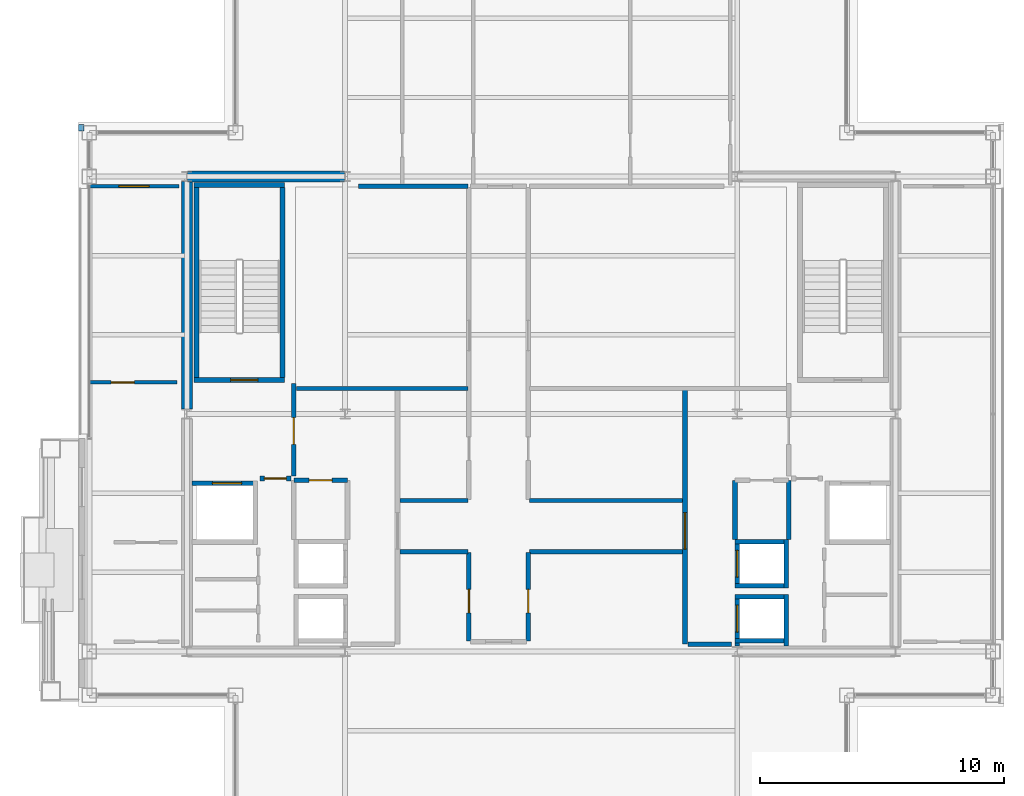
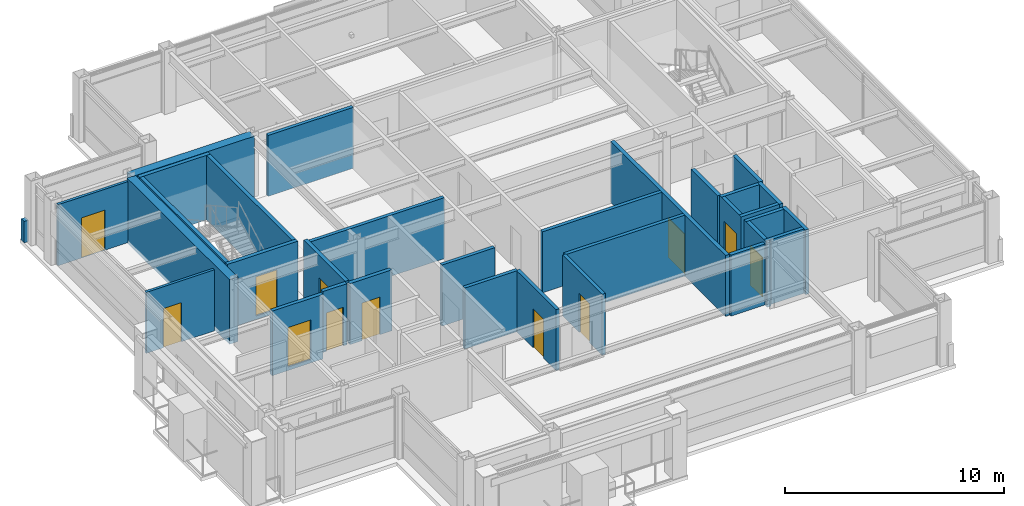
# One storey, part 24 of 28: 33 walls, 12 doors, 12 openings.
"""IFC4 building model written with IfcOpenShell, lengths in metres."""

import ifcopenshell
import ifcopenshell.guid

model = None  # the IFC model being written
_history = None  # IfcOwnerHistory: only IFC2X3 demands one
_inside = {}  # id of a spatial element -> (the spatial element, [elements in it])
_under = {}  # id of a project, library or spatial element -> (it, [spatial elements below it])
_declared = {}  # id of a project -> (the project, [libraries it declares])
_typed = {}  # id of a type object -> (the type object, [elements of that type])
_made_of = {}  # id of a material, layer set ... -> (it, [elements and type objects made of it])


def new_model(schema):
    """Start an empty IFC model of exactly this schema.

    Asked for "IFC4X3", IfcOpenShell would pick the latest addendum, in which some entities
    have other attributes; the version numbers below select the first issue.
    IFC2X3 requires an IfcOwnerHistory on every rooted entity: one is made here for all.
    """
    global model, _history
    if schema == "IFC4X3":
        model = ifcopenshell.file(schema_version=(4, 3, 0, 0))
    else:
        model = ifcopenshell.file(schema=schema)
    _inside.clear()
    _under.clear()
    _declared.clear()
    _typed.clear()
    _made_of.clear()
    _history = None
    if model.schema == "IFC2X3":
        org = make("IfcOrganization", Name="unknown")
        user = make(
            "IfcPersonAndOrganization",
            ThePerson=make("IfcPerson", FamilyName="unknown"),
            TheOrganization=org,
        )
        app = make(
            "IfcApplication",
            ApplicationDeveloper=org,
            Version="unknown",
            ApplicationFullName="unknown",
            ApplicationIdentifier="unknown",
        )
        _history = make(
            "IfcOwnerHistory",
            OwningUser=user,
            OwningApplication=app,
            ChangeAction="ADDED",
            CreationDate=0,
        )
    return model


def make(cls, **values):
    """One entity of the class cls with the attributes given. An attribute that is None is left unset."""
    return model.create_entity(
        cls, **{name: value for name, value in values.items() if value is not None}
    )


def rooted(cls, **values):
    """An entity with a GlobalId (a new one), such as an element, a storey or a relation."""
    return make(cls, GlobalId=ifcopenshell.guid.new(), OwnerHistory=_history, **values)


def si_unit(unit_type, name, prefix=None):
    """IfcSIUnit, for example si_unit("LENGTHUNIT", "METRE", prefix="MILLI")."""
    return make("IfcSIUnit", UnitType=unit_type, Prefix=prefix, Name=name)


def assignment(units):
    """IfcUnitAssignment: the units of a project."""
    return None if units is None else make("IfcUnitAssignment", Units=units)


def point(xyz):
    """IfcCartesianPoint."""
    return None if xyz is None else make("IfcCartesianPoint", Coordinates=xyz)


def direction(xyz):
    """IfcDirection."""
    return None if xyz is None else make("IfcDirection", DirectionRatios=xyz)


def frame(location, z_axis=None, x_axis=None):
    """IfcAxis2Placement3D, a coordinate frame: its origin and axes. An axis left out is left unset."""
    return make(
        "IfcAxis2Placement3D",
        Location=point(location),
        Axis=direction(z_axis),
        RefDirection=direction(x_axis),
    )


def frame_2d(location, x_axis=None):
    """IfcAxis2Placement2D, a coordinate frame in the plane: its origin and x axis."""
    return make(
        "IfcAxis2Placement2D", Location=point(location), RefDirection=direction(x_axis)
    )


def origin():
    """The frame at (0, 0, 0) with its axes left unset."""
    return frame((0.0, 0.0, 0.0))


def place(relative_to, where):
    """IfcLocalPlacement: puts the frame where relative to a parent placement (None: the world)."""
    return make(
        "IfcLocalPlacement", PlacementRelTo=relative_to, RelativePlacement=where
    )


def context(
    kind, dimensions, precision=None, world=None, true_north=None, identifier=None
):
    """IfcGeometricRepresentationContext, for example the 3D "Model" context."""
    return make(
        "IfcGeometricRepresentationContext",
        ContextIdentifier=identifier,
        ContextType=kind,
        CoordinateSpaceDimension=dimensions,
        Precision=precision,
        WorldCoordinateSystem=world,
        TrueNorth=true_north,
    )


def subcontext(parent, identifier, kind, view, scale=None):
    """IfcGeometricRepresentationSubContext, for example "Body" below "Model"."""
    return make(
        "IfcGeometricRepresentationSubContext",
        ContextIdentifier=identifier,
        ContextType=kind,
        ParentContext=parent,
        TargetScale=scale,
        TargetView=view,
    )


def project(units=None, contexts=None):
    """IfcProject with its units and contexts."""
    return rooted(
        "IfcProject",
        Name="project",
        RepresentationContexts=contexts,
        UnitsInContext=assignment(units),
    )


def spatial(cls, under=None, at=None, **own):
    """A site, building, storey or space (cls), placed at a placement, below another one or the project."""
    s = rooted(cls, ObjectPlacement=at, **own)
    if under is not None:
        _under.setdefault(under.id(), (under, []))[1].append(s)
    return s


def profile(cls, at=None, kind="AREA", **sizes):
    """A parametric profile (cls). Its sizes go by their IFC names, for example OverallWidth=200.0."""
    return make(cls, ProfileType=kind, Position=at, **sizes)


def rectangle(**sizes):
    """IfcRectangleProfileDef."""
    return profile("IfcRectangleProfileDef", **sizes)


def extrude(swept, where, along, depth):
    """IfcExtrudedAreaSolid: the profile swept, set in the frame where, extruded along a direction by depth."""
    return make(
        "IfcExtrudedAreaSolid",
        SweptArea=swept,
        Position=where,
        ExtrudedDirection=direction(along),
        Depth=depth,
    )


def shape(context_of_items, identifier, shape_type, items):
    """IfcShapeRepresentation: the items that make up one representation, for example the "Body"."""
    return make(
        "IfcShapeRepresentation",
        ContextOfItems=context_of_items,
        RepresentationIdentifier=identifier,
        RepresentationType=shape_type,
        Items=items,
    )


def material(Name=None, Category=None):
    """IfcMaterial."""
    return make("IfcMaterial", Name=Name, Category=Category)


def layer(
    of_material, thickness, ventilated=None, Name=None, Category=None, Priority=None
):
    """IfcMaterialLayer: one layer of a wall or slab, of a material (None: an air gap)."""
    return make(
        "IfcMaterialLayer",
        Material=of_material,
        LayerThickness=thickness,
        IsVentilated=ventilated,
        Name=Name,
        Category=Category,
        Priority=Priority,
    )


def layer_set(layers, Name=None):
    """IfcMaterialLayerSet."""
    return make("IfcMaterialLayerSet", MaterialLayers=layers, LayerSetName=Name)


def made_of(thing, what):
    """Note that an element or type object is made of a material, layer set ...; save() writes the relation."""
    if what is not None:
        _made_of.setdefault(what.id(), (what, []))[1].append(thing)
    return thing


def type_object(cls, material=None, **own):
    """A type object (cls), such as IfcWallType, which elements share."""
    return made_of(rooted(cls, **own), material)


def element(
    cls,
    number,
    at=None,
    inside=None,
    cuts=None,
    type_object=None,
    material=None,
    context=None,
    identifier="Body",
    shape_type=None,
    held_by="IfcProductDefinitionShape",
    body=None,
    shapes=None,
    **own,
):
    """One element of the class cls, such as IfcWall. Its Tag is "e" and its number.

    at: its placement. inside: the storey or other place that contains it. cuts: it is an
    opening in that element (IfcRelVoidsElement). A single representation is given by context,
    identifier, shape_type and body (its items); several are given by shapes. held_by: the class
    of the entity that holds the representations. save() writes the other relations.
    """
    e = rooted(cls, Tag="e%d" % number, ObjectPlacement=at, **own)
    if body is not None:
        shapes = [shape(context, identifier, shape_type, body)]
    if shapes is not None:
        e.Representation = make(held_by, Representations=shapes)
    if inside is not None:
        _inside.setdefault(inside.id(), (inside, []))[1].append(e)
    if cuts is not None:
        rooted(
            "IfcRelVoidsElement", RelatingBuildingElement=cuts, RelatedOpeningElement=e
        )
    if type_object is not None:
        _typed.setdefault(type_object.id(), (type_object, []))[1].append(e)
    return made_of(e, material)


def fill(opening, filler):
    """IfcRelFillsElement: the door or window that sits in an opening."""
    return rooted(
        "IfcRelFillsElement",
        RelatingOpeningElement=opening,
        RelatedBuildingElement=filler,
    )


def aggregate(whole, parts):
    """IfcRelAggregates: a whole, such as a stair, and the parts it consists of."""
    return rooted("IfcRelAggregates", RelatingObject=whole, RelatedObjects=parts)


def save(model, path):
    """Write the relations noted so far, then the file.

    IfcRelAggregates (storeys below a building ...), IfcRelContainedInSpatialStructure (elements
    in a storey), IfcRelDefinesByType, IfcRelAssociatesMaterial and IfcRelDeclares: one each for
    every whole, place, type object, material and project.
    """
    for whole, parts in _under.values():
        aggregate(whole, parts)
    for where, things in _inside.values():
        rooted(
            "IfcRelContainedInSpatialStructure",
            RelatedElements=things,
            RelatingStructure=where,
        )
    for kind, things in _typed.values():
        rooted("IfcRelDefinesByType", RelatedObjects=things, RelatingType=kind)
    for what, things in _made_of.values():
        rooted("IfcRelAssociatesMaterial", RelatedObjects=things, RelatingMaterial=what)
    for by, libraries in _declared.values():
        rooted("IfcRelDeclares", RelatingContext=by, RelatedDefinitions=libraries)
    model.write(path)


model = new_model("IFC4")

# Units and contexts
model_context = context("Model", 3, precision=1e-05, world=origin(), true_north=direction((0.0, 1.0)))
body_context = subcontext(model_context, "Body", "Model", "MODEL_VIEW")
ifc_project = project(units=[si_unit("LENGTHUNIT", "METRE"), si_unit("AREAUNIT", "SQUARE_METRE"), si_unit("VOLUMEUNIT", "CUBIC_METRE"), si_unit("PLANEANGLEUNIT", "RADIAN"), si_unit("MASSUNIT", "GRAM", prefix="KILO")], contexts=[model_context])

# Site, building, storey
site_placement = place(None, origin())
site = spatial("IfcSite", under=ifc_project, at=site_placement, CompositionType="ELEMENT")
building_placement = place(site_placement, origin())
building = spatial("IfcBuilding", under=site, at=building_placement, Name="Brelmoor Portico Tower", CompositionType="ELEMENT")
storey_placement = place(building_placement, frame((0.0, 0.0, 265.199951171875)))
storey = spatial("IfcBuildingStorey", under=building, at=storey_placement, Name="L70", CompositionType="ELEMENT", Elevation=265.199951171875)

# Walls
ifc_material_1 = material(Name="Concrete C50", Category="concrete")
ifc_layer_1 = layer(ifc_material_1, 0.449951171875)
ifc_layer_set_1 = layer_set([ifc_layer_1], Name="Concrete C50")
wall_type_1 = type_object("IfcWallType", Name="WL-CORE-450", PredefinedType="SHEAR", material=ifc_layer_set_1)
wall_1_placement = place(storey_placement, frame((-14.530029296875, 9.75, -0.199951171875), z_axis=(0.0, 0.0, 1.0), x_axis=(1.0, 0.0, 0.0)))
element("IfcWall", 1, at=wall_1_placement, inside=storey, type_object=wall_type_1, Name="L70 WC North Shear Wall", PredefinedType="SHEAR", context=body_context, shape_type="SweptSolid", body=[
    extrude(rectangle(XDim=6.4599609375, YDim=0.449951171875, at=frame_2d((3.22998046875, 0.0))), origin(), (0.0, 0.0, 1.0), 3.60009765625),
])
wall_2_placement = place(storey_placement, frame((-14.550048828125, 0.199951171875, -0.199951171875), z_axis=(0.0, 0.0, 1.0), x_axis=(0.0, 1.0, 0.0)))
element("IfcWall", 2, at=wall_2_placement, inside=storey, type_object=wall_type_1, Name="L70 WC Outer North Shear Wall", PredefinedType="SHEAR", context=body_context, shape_type="SweptSolid", body=[
    extrude(rectangle(XDim=9.35009765625, YDim=0.449951171875, at=frame_2d((4.675048828125, 0.0))), origin(), (0.0, 0.0, 1.0), 3.60009765625),
])
ifc_material_2 = material(Name="Concrete C40 Parapet Upstand", Category="concrete")
ifc_layer_2 = layer(ifc_material_2, 0.219970703125)
ifc_layer_set_2 = layer_set([ifc_layer_2], Name="Concrete C40 Parapet Upstand")
wall_type_2 = type_object("IfcWallType", Name="WL-PARAPET-220", PredefinedType="PARAPET", material=ifc_layer_set_2)
wall_3_placement = place(storey_placement, frame((-18.889892578125, 11.6201171875, 0.0), z_axis=(0.0, 0.0, 1.0), x_axis=(0.0, 1.0, 0.0)))
element("IfcWall", 3, at=wall_3_placement, inside=storey, type_object=wall_type_2, Name="L70 Chamfer Vertex Parapet Pier NW2", PredefinedType="PARAPET", context=body_context, shape_type="SweptSolid", body=[
    extrude(rectangle(XDim=0.269775390625, YDim=0.219970703125, at=frame_2d((0.134765625, 0.0))), origin(), (0.0, 0.0, 1.0), 1.199951171875),
])

# Wall, opening, door
ifc_material_3 = material(Name="Insulated Stud Suite Partition", Category="gypsum")
ifc_layer_3 = layer(ifc_material_3, 0.139892578125)
ifc_layer_set_3 = layer_set([ifc_layer_3], Name="Insulated Stud Suite Partition")
wall_type_3 = type_object("IfcWallType", Name="WL-PART-140", PredefinedType="PARTITIONING", material=ifc_layer_set_3)
wall_4_placement = place(storey_placement, frame((-18.56005859375, 9.35009765625, 0.0), z_axis=(0.0, 0.0, 1.0), x_axis=(1.0, 0.0, 0.0)))
wall_4 = element("IfcWall", 4, at=wall_4_placement, inside=storey, type_object=wall_type_3, Name="L70 North Wing Suite Wall WL", PredefinedType="PARTITIONING", context=body_context, shape_type="SweptSolid", body=[
    extrude(rectangle(XDim=3.68017578125, YDim=0.139892578125, at=frame_2d((1.840087890625, 0.0))), origin(), (0.0, 0.0, 1.0), 3.400146484375),
])
opening_1_placement = place(wall_4_placement, frame((1.219970703125, 0.0, 0.0)))
opening_1 = element("IfcOpeningElement", 5, at=opening_1_placement, cuts=wall_4, Name="Opening D-SU1", PredefinedType="OPENING", context=body_context, shape_type="SweptSolid", body=[
    extrude(rectangle(XDim=1.239990234375, YDim=2.239990234375, at=frame_2d((0.6201171875, 1.1201171875))), frame((0.0, 0.079833984375, 0.0), z_axis=(0.0, -1.0, 0.0), x_axis=(1.0, 0.0, 0.0)), (0.0, 0.0, 1.0), 0.159912109375),
])
ifc_material_4 = material(Name="Glazed Timber Executive Suite Door", Category="wood")
door_type_1 = type_object("IfcDoorType", Name="DR-SUITE-1200", OperationType="NOTDEFINED", PredefinedType="DOOR", material=ifc_material_4)
door_1_placement = place(opening_1_placement, origin())
door_1 = element("IfcDoor", 6, at=door_1_placement, inside=storey, type_object=door_type_1, Name="D-2886 L70 WL Wing Suite Connecting Door", OperationType="SINGLE_SWING_RIGHT", OverallHeight=2.239990234375, OverallWidth=1.239990234375, PredefinedType="DOOR", context=body_context, shape_type="SweptSolid", body=[
    extrude(rectangle(XDim=1.239990234375, YDim=2.239990234375, at=frame_2d((0.6201171875, 1.1201171875))), frame((0.0, 0.02490234375, 0.0), z_axis=(0.0, -1.0, 0.0), x_axis=(1.0, 0.0, 0.0)), (0.0, 0.0, 1.0), 0.050048828125),
])
fill(opening_1, door_1)

wall_5_placement = place(storey_placement, frame((-18.56005859375, 1.2978515625, 0.0), z_axis=(0.0, 0.0, 1.0), x_axis=(1.0, 0.0, 0.0)))
wall_5 = element("IfcWall", 7, at=wall_5_placement, inside=storey, type_object=wall_type_3, Name="L70 W Wing Partition 2", PredefinedType="PARTITIONING", context=body_context, shape_type="SweptSolid", body=[
    extrude(rectangle(XDim=3.60009765625, YDim=0.139892578125, at=frame_2d((1.800048828125, 0.0))), origin(), (0.0, 0.0, 1.0), 3.400146484375),
])
opening_2_placement = place(wall_5_placement, frame((0.89990234375, 0.0, 0.0)))
opening_2 = element("IfcOpeningElement", 8, at=opening_2_placement, cuts=wall_5, Name="Opening D-IN2", PredefinedType="OPENING", context=body_context, shape_type="SweptSolid", body=[
    extrude(rectangle(XDim=0.9599609375, YDim=2.179931640625, at=frame_2d((0.47998046875, 1.08984375))), frame((0.0, 0.079833984375, 0.0), z_axis=(0.0, -1.0, 0.0), x_axis=(1.0, 0.0, 0.0)), (0.0, 0.0, 1.0), 0.159912109375),
])
ifc_material_5 = material(Name="Lacquered Timber Suite Door", Category="wood")
door_type_2 = type_object("IfcDoorType", Name="DR-INT-950", OperationType="NOTDEFINED", PredefinedType="DOOR", material=ifc_material_5)
door_2_placement = place(opening_2_placement, origin())
door_2 = element("IfcDoor", 9, at=door_2_placement, inside=storey, type_object=door_type_2, Name="D-2895 L70 W Wing Suite Connecting Door 2", OperationType="SINGLE_SWING_RIGHT", OverallHeight=2.179931640625, OverallWidth=0.9599609375, PredefinedType="DOOR", context=body_context, shape_type="SweptSolid", body=[
    extrude(rectangle(XDim=0.9599609375, YDim=2.179931640625, at=frame_2d((0.47998046875, 1.08984375))), frame((0.0, 0.02490234375, 0.0), z_axis=(0.0, -1.0, 0.0), x_axis=(1.0, 0.0, 0.0)), (0.0, 0.0, 1.0), 0.050048828125),
])
fill(opening_2, door_2)

# Walls
ifc_material_6 = material(Name="Acoustic Corridor Fire Partition", Category="gypsum")
ifc_layer_4 = layer(ifc_material_6, 0.179931640625)
ifc_layer_set_4 = layer_set([ifc_layer_4], Name="Acoustic Corridor Fire Partition")
wall_type_4 = type_object("IfcWallType", Name="WL-PART-180", PredefinedType="PARTITIONING", material=ifc_layer_set_4)
wall_6_placement = place(storey_placement, frame((-10.050048828125, 1.050048828125, 0.0), z_axis=(0.0, 0.0, 1.0), x_axis=(1.0, 0.0, 0.0)))
element("IfcWall", 10, at=wall_6_placement, inside=storey, type_object=wall_type_4, Name="L70 West Reclaimed Suite South Wall", PredefinedType="PARTITIONING", context=body_context, shape_type="SweptSolid", body=[
    extrude(rectangle(XDim=7.0400390625, YDim=0.179931640625, at=frame_2d((3.52001953125, 0.0))), origin(), (0.0, 0.0, 1.0), 3.400146484375),
])
wall_7_placement = place(storey_placement, frame((-7.5, 9.35009765625, 0.0), z_axis=(0.0, 0.0, 1.0), x_axis=(1.0, 0.0, 0.0)))
element("IfcWall", 11, at=wall_7_placement, inside=storey, type_object=wall_type_4, Name="L70 West Reclaimed Suite North Wall", PredefinedType="PARTITIONING", context=body_context, shape_type="SweptSolid", body=[
    extrude(rectangle(XDim=4.489990234375, YDim=0.179931640625, at=frame_2d((2.2451171875, 0.0))), origin(), (0.0, 0.0, 1.0), 3.400146484375),
])
wall_8_placement = place(storey_placement, frame((-5.800048828125, -3.550048828125, 0.0), z_axis=(0.0, 0.0, 1.0), x_axis=(1.0, 0.0, 0.0)))
element("IfcWall", 12, at=wall_8_placement, inside=storey, type_object=wall_type_4, Name="L70 West Pantry South Wall", PredefinedType="PARTITIONING", context=body_context, shape_type="SweptSolid", body=[
    extrude(rectangle(XDim=2.7900390625, YDim=0.179931640625, at=frame_2d((1.39501953125, 0.0))), origin(), (0.0, 0.0, 1.0), 3.400146484375),
])
wall_9_placement = place(storey_placement, frame((-0.489990234375, -3.550048828125, 0.0), z_axis=(0.0, 0.0, 1.0), x_axis=(1.0, 0.0, 0.0)))
element("IfcWall", 13, at=wall_9_placement, inside=storey, type_object=wall_type_4, Name="L70 East Office South Wall", PredefinedType="PARTITIONING", context=body_context, shape_type="SweptSolid", body=[
    extrude(rectangle(XDim=6.2900390625, YDim=0.179931640625, at=frame_2d((3.14501953125, 0.0))), origin(), (0.0, 0.0, 1.0), 3.400146484375),
])

# Wall, opening, door
wall_10_placement = place(storey_placement, frame((-2.969970703125, -9.31005859375, 0.0), z_axis=(0.0, 0.0, 1.0), x_axis=(0.0, 1.0, 0.0)))
wall_10 = element("IfcWall", 14, at=wall_10_placement, inside=storey, type_object=wall_type_4, Name="L70 South Cross West Wall", PredefinedType="PARTITIONING", context=body_context, shape_type="SweptSolid", body=[
    extrude(rectangle(XDim=3.630126953125, YDim=0.179931640625, at=frame_2d((1.81494140625, 0.0))), origin(), (0.0, 0.0, 1.0), 3.400146484375),
])
opening_3_placement = place(wall_10_placement, frame((1.14990234375, 0.0, 0.0)))
opening_3 = element("IfcOpeningElement", 15, at=opening_3_placement, cuts=wall_10, Name="Opening D-IN2", PredefinedType="OPENING", context=body_context, shape_type="SweptSolid", body=[
    extrude(rectangle(XDim=0.9599609375, YDim=2.179931640625, at=frame_2d((0.47998046875, 1.08984375))), frame((0.0, 0.099853515625, 0.0), z_axis=(0.0, -1.0, 0.0), x_axis=(1.0, 0.0, 0.0)), (0.0, 0.0, 1.0), 0.199951171875),
])
door_3_placement = place(opening_3_placement, origin())
door_3 = element("IfcDoor", 16, at=door_3_placement, inside=storey, type_object=door_type_2, Name="D-2864 L70 South-West Archive Room Door", OperationType="SINGLE_SWING_LEFT", OverallHeight=2.179931640625, OverallWidth=0.9599609375, PredefinedType="DOOR", context=body_context, shape_type="SweptSolid", body=[
    extrude(rectangle(XDim=0.9599609375, YDim=2.179931640625, at=frame_2d((0.47998046875, 1.08984375))), frame((0.0, 0.02490234375, 0.0), z_axis=(0.0, -1.0, 0.0), x_axis=(1.0, 0.0, 0.0)), (0.0, 0.0, 1.0), 0.050048828125),
])
fill(opening_3, door_3)

wall_11_placement = place(storey_placement, frame((-0.530029296875, -9.31005859375, 0.0), z_axis=(0.0, 0.0, 1.0), x_axis=(0.0, 1.0, 0.0)))
wall_11 = element("IfcWall", 17, at=wall_11_placement, inside=storey, type_object=wall_type_4, Name="L70 South Cross East Wall", PredefinedType="PARTITIONING", context=body_context, shape_type="SweptSolid", body=[
    extrude(rectangle(XDim=3.630126953125, YDim=0.179931640625, at=frame_2d((1.81494140625, 0.0))), origin(), (0.0, 0.0, 1.0), 3.400146484375),
])
opening_4_placement = place(wall_11_placement, frame((1.14990234375, 0.0, 0.0)))
opening_4 = element("IfcOpeningElement", 18, at=opening_4_placement, cuts=wall_11, Name="Opening D-IN2", PredefinedType="OPENING", context=body_context, shape_type="SweptSolid", body=[
    extrude(rectangle(XDim=0.9599609375, YDim=2.179931640625, at=frame_2d((0.47998046875, 1.08984375))), frame((0.0, 0.099853515625, 0.0), z_axis=(0.0, -1.0, 0.0), x_axis=(1.0, 0.0, 0.0)), (0.0, 0.0, 1.0), 0.199951171875),
])
door_4_placement = place(opening_4_placement, origin())
door_4 = element("IfcDoor", 19, at=door_4_placement, inside=storey, type_object=door_type_2, Name="D-2863 L70 South-East Partner Office Door", OperationType="SINGLE_SWING_RIGHT", OverallHeight=2.179931640625, OverallWidth=0.9599609375, PredefinedType="DOOR", context=body_context, shape_type="SweptSolid", body=[
    extrude(rectangle(XDim=0.9599609375, YDim=2.179931640625, at=frame_2d((0.47998046875, 1.08984375))), frame((0.0, 0.02490234375, 0.0), z_axis=(0.0, -1.0, 0.0), x_axis=(1.0, 0.0, 0.0)), (0.0, 0.0, 1.0), 0.050048828125),
])
fill(opening_4, door_4)

# Walls
wall_12_placement = place(storey_placement, frame((-5.800048828125, -5.64990234375, 0.0), z_axis=(0.0, 0.0, 1.0), x_axis=(1.0, 0.0, 0.0)))
element("IfcWall", 20, at=wall_12_placement, inside=storey, type_object=wall_type_4, Name="L70 South-West Chamber Top Wall", PredefinedType="PARTITIONING", context=body_context, shape_type="SweptSolid", body=[
    extrude(rectangle(XDim=2.7900390625, YDim=0.179931640625, at=frame_2d((1.39501953125, 0.0))), origin(), (0.0, 0.0, 1.0), 3.400146484375),
])
wall_13_placement = place(storey_placement, frame((-0.489990234375, -5.64990234375, 0.0), z_axis=(0.0, 0.0, 1.0), x_axis=(1.0, 0.0, 0.0)))
element("IfcWall", 21, at=wall_13_placement, inside=storey, type_object=wall_type_4, Name="L70 South-East Chamber Top Wall", PredefinedType="PARTITIONING", context=body_context, shape_type="SweptSolid", body=[
    extrude(rectangle(XDim=6.2900390625, YDim=0.179931640625, at=frame_2d((3.14501953125, 0.0))), origin(), (0.0, 0.0, 1.0), 3.400146484375),
])

# Wall, opening, door
ifc_material_7 = material(Name="Double-Stud Gypsum Fire Partition", Category="gypsum")
ifc_layer_5 = layer(ifc_material_7, 0.199951171875)
ifc_layer_set_5 = layer_set([ifc_layer_5], Name="Double-Stud Gypsum Fire Partition")
wall_type_5 = type_object("IfcWallType", Name="WL-PART-200", PredefinedType="PARTITIONING", material=ifc_layer_set_5)
wall_14_placement = place(storey_placement, frame((-10.159912109375, -2.550048828125, 0.0), z_axis=(0.0, 0.0, 1.0), x_axis=(0.0, 1.0, 0.0)))
wall_14 = element("IfcWall", 22, at=wall_14_placement, inside=storey, type_object=wall_type_5, Name="L70 W Firefighting Lobby Wall", PredefinedType="PARTITIONING", context=body_context, shape_type="SweptSolid", body=[
    extrude(rectangle(XDim=3.800048828125, YDim=0.199951171875, at=frame_2d((1.89990234375, 0.0))), origin(), (0.0, 0.0, 1.0), 3.400146484375),
])
opening_5_placement = place(wall_14_placement, frame((1.300048828125, 0.0, 0.0)))
opening_5 = element("IfcOpeningElement", 23, at=opening_5_placement, cuts=wall_14, Name="Opening D-FR1", PredefinedType="OPENING", context=body_context, shape_type="SweptSolid", body=[
    extrude(rectangle(XDim=1.10009765625, YDim=2.14990234375, at=frame_2d((0.550048828125, 1.074951171875))), frame((0.0, 0.10986328125, 0.0), z_axis=(0.0, -1.0, 0.0), x_axis=(1.0, 0.0, 0.0)), (0.0, 0.0, 1.0), 0.219970703125),
])
ifc_material_8 = material(Name="Painted Galvanised Steel Fire Door", Category="steel")
door_type_3 = type_object("IfcDoorType", Name="DR-FIRE-1100", OperationType="NOTDEFINED", PredefinedType="DOOR", material=ifc_material_8)
door_5_placement = place(opening_5_placement, origin())
door_5 = element("IfcDoor", 24, at=door_5_placement, inside=storey, type_object=door_type_3, Name="D-2877 L70 W Firefighting Lobby Door", OperationType="SINGLE_SWING_RIGHT", OverallHeight=2.14990234375, OverallWidth=1.10009765625, PredefinedType="DOOR", context=body_context, shape_type="SweptSolid", body=[
    extrude(rectangle(XDim=1.10009765625, YDim=2.14990234375, at=frame_2d((0.550048828125, 1.074951171875))), frame((0.0, 0.02490234375, 0.0), z_axis=(0.0, -1.0, 0.0), x_axis=(1.0, 0.0, 0.0)), (0.0, 0.0, 1.0), 0.050048828125),
])
fill(opening_5, door_5)

wall_15_placement = place(storey_placement, frame((-10.280029296875, -2.64990234375, 0.0), z_axis=(0.0, 0.0, 1.0), x_axis=(-1.0, 0.0, 0.0)))
wall_15 = element("IfcWall", 25, at=wall_15_placement, inside=storey, type_object=wall_type_5, Name="L70 W Firefighting Lobby South Wall", PredefinedType="PARTITIONING", context=body_context, shape_type="SweptSolid", body=[
    extrude(rectangle(XDim=1.27001953125, YDim=0.199951171875, at=frame_2d((0.635009765625, 0.0))), origin(), (0.0, 0.0, 1.0), 3.400146484375),
])
opening_6_placement = place(wall_15_placement, frame((0.18505859375, 0.0, 0.0)))
opening_6 = element("IfcOpeningElement", 26, at=opening_6_placement, cuts=wall_15, Name="Opening D-IN1", PredefinedType="OPENING", context=body_context, shape_type="SweptSolid", body=[
    extrude(rectangle(XDim=0.89990234375, YDim=2.14990234375, at=frame_2d((0.449951171875, 1.074951171875))), frame((0.0, 0.10986328125, 0.0), z_axis=(0.0, -1.0, 0.0), x_axis=(1.0, 0.0, 0.0)), (0.0, 0.0, 1.0), 0.219970703125),
])
door_type_4 = type_object("IfcDoorType", Name="DR-INT-900", OperationType="NOTDEFINED", PredefinedType="DOOR", material=ifc_material_5)
door_6_placement = place(opening_6_placement, origin())
door_6 = element("IfcDoor", 27, at=door_6_placement, inside=storey, type_object=door_type_4, Name="D-2870 L70 W Core Service Vestibule Door", OperationType="SINGLE_SWING_LEFT", OverallHeight=2.14990234375, OverallWidth=0.89990234375, PredefinedType="DOOR", context=body_context, shape_type="SweptSolid", body=[
    extrude(rectangle(XDim=0.89990234375, YDim=2.14990234375, at=frame_2d((0.449951171875, 1.074951171875))), frame((0.0, 0.02490234375, 0.0), z_axis=(0.0, -1.0, 0.0), x_axis=(1.0, 0.0, 0.0)), (0.0, 0.0, 1.0), 0.050048828125),
])
fill(opening_6, door_6)

wall_16_placement = place(storey_placement, frame((-7.9599609375, -2.719970703125, 0.0), z_axis=(0.0, 0.0, 1.0), x_axis=(-1.0, 0.0, 0.0)))
wall_16 = element("IfcWall", 28, at=wall_16_placement, inside=storey, type_object=wall_type_5, Name="L70 W Electrical Switchgear Closet Wall", PredefinedType="PARTITIONING", context=body_context, shape_type="SweptSolid", body=[
    extrude(rectangle(XDim=2.199951171875, YDim=0.199951171875, at=frame_2d((1.10009765625, 0.0))), origin(), (0.0, 0.0, 1.0), 3.400146484375),
])
opening_7_placement = place(wall_16_placement, frame((0.6201171875, 0.0, 0.0)))
opening_7 = element("IfcOpeningElement", 29, at=opening_7_placement, cuts=wall_16, Name="Opening D-FR4", PredefinedType="OPENING", context=body_context, shape_type="SweptSolid", body=[
    extrude(rectangle(XDim=0.949951171875, YDim=2.10009765625, at=frame_2d((0.47509765625, 1.050048828125))), frame((0.0, 0.10986328125, 0.0), z_axis=(0.0, -1.0, 0.0), x_axis=(1.0, 0.0, 0.0)), (0.0, 0.0, 1.0), 0.219970703125),
])
ifc_material_9 = material(Name="Painted Galvanised Steel Riser Door", Category="steel")
door_type_5 = type_object("IfcDoorType", Name="DR-FIRE-950", OperationType="NOTDEFINED", PredefinedType="DOOR", material=ifc_material_9)
door_7_placement = place(opening_7_placement, origin())
door_7 = element("IfcDoor", 30, at=door_7_placement, inside=storey, type_object=door_type_5, Name="D-2875 L70 W Electrical Switchgear Closet Door", OperationType="SINGLE_SWING_RIGHT", OverallHeight=2.10009765625, OverallWidth=0.949951171875, PredefinedType="DOOR", context=body_context, shape_type="SweptSolid", body=[
    extrude(rectangle(XDim=0.949951171875, YDim=2.10009765625, at=frame_2d((0.47509765625, 1.050048828125))), frame((0.0, 0.02490234375, 0.0), z_axis=(0.0, -1.0, 0.0), x_axis=(1.0, 0.0, 0.0)), (0.0, 0.0, 1.0), 0.050048828125),
])
fill(opening_7, door_7)

wall_17_placement = place(storey_placement, frame((5.89990234375, -9.449951171875, 0.0), z_axis=(0.0, 0.0, 1.0), x_axis=(0.0, 1.0, 0.0)))
wall_17 = element("IfcWall", 31, at=wall_17_placement, inside=storey, type_object=wall_type_5, Name="L70 E Core Lobby Compartment Wall", PredefinedType="PARTITIONING", context=body_context, shape_type="SweptSolid", body=[
    extrude(rectangle(XDim=10.5, YDim=0.199951171875, at=frame_2d((5.25, 0.0))), origin(), (0.0, 0.0, 1.0), 3.400146484375),
])
opening_8_placement = place(wall_17_placement, frame((3.89990234375, 0.0, 0.0)))
opening_8 = element("IfcOpeningElement", 32, at=opening_8_placement, cuts=wall_17, Name="Opening D-LB1", PredefinedType="OPENING", context=body_context, shape_type="SweptSolid", body=[
    extrude(rectangle(XDim=1.5, YDim=2.199951171875, at=frame_2d((0.75, 1.10009765625))), frame((0.0, 0.10986328125, 0.0), z_axis=(0.0, -1.0, 0.0), x_axis=(1.0, 0.0, 0.0)), (0.0, 0.0, 1.0), 0.219970703125),
])
ifc_material_10 = material(Name="Double-Leaf Glazed Steel Fire Door", Category="steel")
door_type_6 = type_object("IfcDoorType", Name="DR-LOBBY-1500", OperationType="NOTDEFINED", PredefinedType="DOOR", material=ifc_material_10)
door_8_placement = place(opening_8_placement, origin())
door_8 = element("IfcDoor", 33, at=door_8_placement, inside=storey, type_object=door_type_6, Name="D-2878 L70 E Lift Lobby Main Door", OperationType="DOUBLE_DOOR_SINGLE_SWING", OverallHeight=2.199951171875, OverallWidth=1.5, PredefinedType="DOOR", context=body_context, shape_type="SweptSolid", body=[
    extrude(rectangle(XDim=1.5, YDim=2.199951171875, at=frame_2d((0.75, 1.10009765625))), frame((0.0, 0.02490234375, 0.0), z_axis=(0.0, -1.0, 0.0), x_axis=(1.0, 0.0, 0.0)), (0.0, 0.0, 1.0), 0.050048828125),
])
fill(opening_8, door_8)

# Walls
wall_18_placement = place(storey_placement, frame((6.02001953125, -9.449951171875, 0.0), z_axis=(0.0, 0.0, 1.0), x_axis=(1.0, 0.0, 0.0)))
element("IfcWall", 34, at=wall_18_placement, inside=storey, type_object=wall_type_5, Name="L70 E Lift Lobby South End Wall", PredefinedType="PARTITIONING", context=body_context, shape_type="SweptSolid", body=[
    extrude(rectangle(XDim=1.800048828125, YDim=0.199951171875, at=frame_2d((0.89990234375, 0.0))), origin(), (0.0, 0.0, 1.0), 3.400146484375),
])
for number, where, z_axis, x_axis, name in (
    (35, (7.9599609375, -5.159912109375, 0.0), (0.0, 0.0, 1.0), (0.0, 1.0, 0.0), "L70 E Electrical Switchgear Closet Inner Wall"),
    (36, (10.159912109375, -5.159912109375, 0.0), (0.0, 0.0, 1.0), (0.0, 1.0, 0.0), "L70 E Electrical Switchgear Closet Outer Wall"),
):
    element("IfcWall", number, at=place(storey_placement, frame(where, z_axis=z_axis, x_axis=x_axis)), inside=storey, type_object=wall_type_5, Name=name, PredefinedType="PARTITIONING", context=body_context, shape_type="SweptSolid", body=[
        extrude(rectangle(XDim=2.43994140625, YDim=0.199951171875, at=frame_2d((1.219970703125, 0.0))), origin(), (0.0, 0.0, 1.0), 3.400146484375),
    ])

# Wall, opening, door
ifc_material_11 = material(Name="Precast Concrete C40", Category="concrete")
ifc_layer_6 = layer(ifc_material_11, 0.18994140625)
ifc_layer_set_6 = layer_set([ifc_layer_6], Name="Precast Concrete C40")
wall_type_6 = type_object("IfcWallType", Name="WL-SHAFT-180", PredefinedType="SOLIDWALL", material=ifc_layer_set_6)
wall_19_placement = place(storey_placement, frame((8.044921875, -9.52001953125, -0.199951171875), z_axis=(0.0, 0.0, 1.0), x_axis=(0.0, 1.0, 0.0)))
wall_19 = element("IfcWall", 37, at=wall_19_placement, inside=storey, type_object=wall_type_6, Name="L70 Lift PH3 Hoistway Front Wall", PredefinedType="SOLIDWALL", context=body_context, shape_type="SweptSolid", body=[
    extrude(rectangle(XDim=2.1201171875, YDim=0.18994140625, at=frame_2d((1.06005859375, 0.0))), origin(), (0.0, 0.0, 1.0), 3.60009765625),
])
opening_9_placement = place(wall_19_placement, frame((0.570068359375, 0.0, 0.199951171875)))
opening_9 = element("IfcOpeningElement", 38, at=opening_9_placement, cuts=wall_19, Name="Opening LD-01", PredefinedType="OPENING", context=body_context, shape_type="SweptSolid", body=[
    extrude(rectangle(XDim=1.10009765625, YDim=2.199951171875, at=frame_2d((0.550048828125, 1.10009765625))), frame((0.0, 0.10498046875, 0.0), z_axis=(0.0, -1.0, 0.0), x_axis=(1.0, 0.0, 0.0)), (0.0, 0.0, 1.0), 0.2099609375),
])
ifc_material_12 = material(Name="Brushed Stainless Steel Sliding Lift Door", Category="steel")
door_type_7 = type_object("IfcDoorType", Name="DR-LIFT-1100", OperationType="NOTDEFINED", PredefinedType="DOOR", material=ifc_material_12)
door_9_placement = place(opening_9_placement, origin())
door_9 = element("IfcDoor", 39, at=door_9_placement, inside=storey, type_object=door_type_7, Name="D-2900 L70 Lift PH3 Sliding Landing Door", OperationType="SLIDING_TO_LEFT", OverallHeight=2.199951171875, OverallWidth=1.10009765625, PredefinedType="DOOR", context=body_context, shape_type="SweptSolid", body=[
    extrude(rectangle(XDim=1.10009765625, YDim=2.199951171875, at=frame_2d((0.550048828125, 1.10009765625))), frame((0.0, 0.02490234375, 0.0), z_axis=(0.0, -1.0, 0.0), x_axis=(1.0, 0.0, 0.0)), (0.0, 0.0, 1.0), 0.050048828125),
])
fill(opening_9, door_9)

# Walls
wall_20_placement = place(storey_placement, frame((10.054931640625, -9.52001953125, -0.199951171875), z_axis=(0.0, 0.0, 1.0), x_axis=(0.0, 1.0, 0.0)))
element("IfcWall", 40, at=wall_20_placement, inside=storey, type_object=wall_type_6, Name="L70 Lift PH3 Hoistway Back Wall", PredefinedType="SOLIDWALL", context=body_context, shape_type="SweptSolid", body=[
    extrude(rectangle(XDim=2.1201171875, YDim=0.18994140625, at=frame_2d((1.06005859375, 0.0))), origin(), (0.0, 0.0, 1.0), 3.60009765625),
])
for number, where, z_axis, x_axis, name in (
    (41, (7.949951171875, -7.4951171875, -0.199951171875), (0.0, 0.0, 1.0), (1.0, 0.0, 0.0), "L70 Lift PH3 Hoistway North Wall"),
    (42, (7.949951171875, -9.304931640625, -0.199951171875), (0.0, 0.0, 1.0), (1.0, 0.0, 0.0), "L70 Lift PH3 Hoistway South Wall"),
):
    element("IfcWall", number, at=place(storey_placement, frame(where, z_axis=z_axis, x_axis=x_axis)), inside=storey, type_object=wall_type_6, Name=name, PredefinedType="SOLIDWALL", context=body_context, shape_type="SweptSolid", body=[
        extrude(rectangle(XDim=2.199951171875, YDim=0.18994140625, at=frame_2d((1.10009765625, 0.0))), origin(), (0.0, 0.0, 1.0), 3.60009765625),
    ])

# Wall, opening, door
wall_21_placement = place(storey_placement, frame((8.044921875, -7.14990234375, -0.199951171875), z_axis=(0.0, 0.0, 1.0), x_axis=(0.0, 1.0, 0.0)))
wall_21 = element("IfcWall", 43, at=wall_21_placement, inside=storey, type_object=wall_type_6, Name="L70 Lift PH4 Hoistway Front Wall", PredefinedType="SOLIDWALL", context=body_context, shape_type="SweptSolid", body=[
    extrude(rectangle(XDim=2.0, YDim=0.18994140625, at=frame_2d((1.0, 0.0))), origin(), (0.0, 0.0, 1.0), 3.60009765625),
])
opening_10_placement = place(wall_21_placement, frame((0.449951171875, 0.0, 0.199951171875)))
opening_10 = element("IfcOpeningElement", 44, at=opening_10_placement, cuts=wall_21, Name="Opening LD-01", PredefinedType="OPENING", context=body_context, shape_type="SweptSolid", body=[
    extrude(rectangle(XDim=1.10009765625, YDim=2.199951171875, at=frame_2d((0.550048828125, 1.10009765625))), frame((0.0, 0.10498046875, 0.0), z_axis=(0.0, -1.0, 0.0), x_axis=(1.0, 0.0, 0.0)), (0.0, 0.0, 1.0), 0.2099609375),
])
door_10_placement = place(opening_10_placement, origin())
door_10 = element("IfcDoor", 45, at=door_10_placement, inside=storey, type_object=door_type_7, Name="D-2901 L70 Lift PH4 Sliding Landing Door", OperationType="SLIDING_TO_LEFT", OverallHeight=2.199951171875, OverallWidth=1.10009765625, PredefinedType="DOOR", context=body_context, shape_type="SweptSolid", body=[
    extrude(rectangle(XDim=1.10009765625, YDim=2.199951171875, at=frame_2d((0.550048828125, 1.10009765625))), frame((0.0, 0.02490234375, 0.0), z_axis=(0.0, -1.0, 0.0), x_axis=(1.0, 0.0, 0.0)), (0.0, 0.0, 1.0), 0.050048828125),
])
fill(opening_10, door_10)

# Walls
wall_22_placement = place(storey_placement, frame((10.054931640625, -7.14990234375, -0.199951171875), z_axis=(0.0, 0.0, 1.0), x_axis=(0.0, 1.0, 0.0)))
element("IfcWall", 46, at=wall_22_placement, inside=storey, type_object=wall_type_6, Name="L70 Lift PH4 Hoistway Back Wall", PredefinedType="SOLIDWALL", context=body_context, shape_type="SweptSolid", body=[
    extrude(rectangle(XDim=2.0, YDim=0.18994140625, at=frame_2d((1.0, 0.0))), origin(), (0.0, 0.0, 1.0), 3.60009765625),
])
for number, where, z_axis, x_axis, name in (
    (47, (7.949951171875, -5.2451171875, -0.199951171875), (0.0, 0.0, 1.0), (1.0, 0.0, 0.0), "L70 Lift PH4 Hoistway North Wall"),
    (48, (7.949951171875, -7.054931640625, -0.199951171875), (0.0, 0.0, 1.0), (1.0, 0.0, 0.0), "L70 Lift PH4 Hoistway South Wall"),
):
    element("IfcWall", number, at=place(storey_placement, frame(where, z_axis=z_axis, x_axis=x_axis)), inside=storey, type_object=wall_type_6, Name=name, PredefinedType="SOLIDWALL", context=body_context, shape_type="SweptSolid", body=[
        extrude(rectangle(XDim=2.199951171875, YDim=0.18994140625, at=frame_2d((1.10009765625, 0.0))), origin(), (0.0, 0.0, 1.0), 3.60009765625),
    ])

# Wall, opening, door
wall_23_placement = place(storey_placement, frame((-14.330078125, -2.844970703125, -0.199951171875), z_axis=(0.0, 0.0, 1.0), x_axis=(1.0, 0.0, 0.0)))
wall_23 = element("IfcWall", 49, at=wall_23_placement, inside=storey, type_object=wall_type_6, Name="L70 Lift FF1 Hoistway Front Wall", PredefinedType="SOLIDWALL", context=body_context, shape_type="SweptSolid", body=[
    extrude(rectangle(XDim=2.68017578125, YDim=0.18994140625, at=frame_2d((1.340087890625, 0.0))), origin(), (0.0, 0.0, 1.0), 3.60009765625),
])
opening_11_placement = place(wall_23_placement, frame((0.830078125, 0.0, 0.199951171875)))
opening_11 = element("IfcOpeningElement", 50, at=opening_11_placement, cuts=wall_23, Name="Opening LD-02", PredefinedType="OPENING", context=body_context, shape_type="SweptSolid", body=[
    extrude(rectangle(XDim=1.199951171875, YDim=2.199951171875, at=frame_2d((0.60009765625, 1.10009765625))), frame((0.0, 0.10498046875, 0.0), z_axis=(0.0, -1.0, 0.0), x_axis=(1.0, 0.0, 0.0)), (0.0, 0.0, 1.0), 0.2099609375),
])
ifc_material_13 = material(Name="Brushed Stainless Steel Firefighting Lift Door", Category="steel")
door_type_8 = type_object("IfcDoorType", Name="DR-LIFT-1200", OperationType="NOTDEFINED", PredefinedType="DOOR", material=ifc_material_13)
door_11_placement = place(opening_11_placement, origin())
door_11 = element("IfcDoor", 51, at=door_11_placement, inside=storey, type_object=door_type_8, Name="D-2896 L70 Lift FF1 Sliding Landing Door", OperationType="SLIDING_TO_LEFT", OverallHeight=2.199951171875, OverallWidth=1.199951171875, PredefinedType="DOOR", context=body_context, shape_type="SweptSolid", body=[
    extrude(rectangle(XDim=1.199951171875, YDim=2.199951171875, at=frame_2d((0.60009765625, 1.10009765625))), frame((0.0, 0.02490234375, 0.0), z_axis=(0.0, -1.0, 0.0), x_axis=(1.0, 0.0, 0.0)), (0.0, 0.0, 1.0), 0.050048828125),
])
fill(opening_11, door_11)

# Wall
ifc_material_14 = material(Name="Concrete C40", Category="concrete")
ifc_layer_7 = layer(ifc_material_14, 0.199951171875)
ifc_layer_set_7 = layer_set([ifc_layer_7], Name="Concrete C40")
wall_type_7 = type_object("IfcWallType", Name="WL-SHAFT-RC200", PredefinedType="SOLIDWALL", material=ifc_layer_set_7)
wall_24_placement = place(storey_placement, frame((-14.14990234375, 1.5, -0.199951171875), z_axis=(0.0, 0.0, 1.0), x_axis=(0.0, 1.0, 0.0)))
element("IfcWall", 52, at=wall_24_placement, inside=storey, type_object=wall_type_7, Name="L70 ST-W Structural Stair Wall Outer", PredefinedType="SOLIDWALL", context=body_context, shape_type="SweptSolid", body=[
    extrude(rectangle(XDim=7.800048828125, YDim=0.199951171875, at=frame_2d((3.89990234375, 0.0))), origin(), (0.0, 0.0, 1.0), 3.60009765625),
])

# Wall, opening, door
wall_25_placement = place(storey_placement, frame((-14.25, 1.39990234375, -0.199951171875), z_axis=(0.0, 0.0, 1.0), x_axis=(1.0, 0.0, 0.0)))
wall_25 = element("IfcWall", 53, at=wall_25_placement, inside=storey, type_object=wall_type_7, Name="L70 ST-W Structural Stair Wall S", PredefinedType="SOLIDWALL", context=body_context, shape_type="SweptSolid", body=[
    extrude(rectangle(XDim=3.719970703125, YDim=0.199951171875, at=frame_2d((1.85986328125, 0.0))), origin(), (0.0, 0.0, 1.0), 3.60009765625),
])
opening_12_placement = place(wall_25_placement, frame((1.5, 0.0, 0.199951171875)))
opening_12 = element("IfcOpeningElement", 54, at=opening_12_placement, cuts=wall_25, Name="Opening D-ST1", PredefinedType="OPENING", context=body_context, shape_type="SweptSolid", body=[
    extrude(rectangle(XDim=1.1201171875, YDim=2.179931640625, at=frame_2d((0.56005859375, 1.08984375))), frame((0.0, 0.10986328125, 0.0), z_axis=(0.0, -1.0, 0.0), x_axis=(1.0, 0.0, 0.0)), (0.0, 0.0, 1.0), 0.219970703125),
])
door_type_9 = type_object("IfcDoorType", Name="DR-STAIR-1100", OperationType="NOTDEFINED", PredefinedType="DOOR", material=ifc_material_8)
door_12_placement = place(opening_12_placement, origin())
door_12 = element("IfcDoor", 55, at=door_12_placement, inside=storey, type_object=door_type_9, Name="D-2889 L70 ST-W Protected Exit Stair Door", OperationType="SINGLE_SWING_LEFT", OverallHeight=2.179931640625, OverallWidth=1.1201171875, PredefinedType="DOOR", context=body_context, shape_type="SweptSolid", body=[
    extrude(rectangle(XDim=1.1201171875, YDim=2.179931640625, at=frame_2d((0.56005859375, 1.08984375))), frame((0.0, 0.02490234375, 0.0), z_axis=(0.0, -1.0, 0.0), x_axis=(1.0, 0.0, 0.0)), (0.0, 0.0, 1.0), 0.050048828125),
])
fill(opening_12, door_12)

# Walls
wall_26_placement = place(storey_placement, frame((-14.25, 9.39990234375, -0.199951171875), z_axis=(0.0, 0.0, 1.0), x_axis=(1.0, 0.0, 0.0)))
element("IfcWall", 56, at=wall_26_placement, inside=storey, type_object=wall_type_7, Name="L70 ST-W Structural Stair Wall N", PredefinedType="SOLIDWALL", context=body_context, shape_type="SweptSolid", body=[
    extrude(rectangle(XDim=3.719970703125, YDim=0.199951171875, at=frame_2d((1.85986328125, 0.0))), origin(), (0.0, 0.0, 1.0), 3.60009765625),
])
wall_27_placement = place(storey_placement, frame((-10.6298828125, 1.5, -0.199951171875), z_axis=(0.0, 0.0, 1.0), x_axis=(0.0, 1.0, 0.0)))
element("IfcWall", 57, at=wall_27_placement, inside=storey, type_object=wall_type_7, Name="L70 ST-W Structural Stair Wall Inner", PredefinedType="SOLIDWALL", context=body_context, shape_type="SweptSolid", body=[
    extrude(rectangle(XDim=7.800048828125, YDim=0.199951171875, at=frame_2d((3.89990234375, 0.0))), origin(), (0.0, 0.0, 1.0), 3.60009765625),
])

save(model, "model.ifc")
